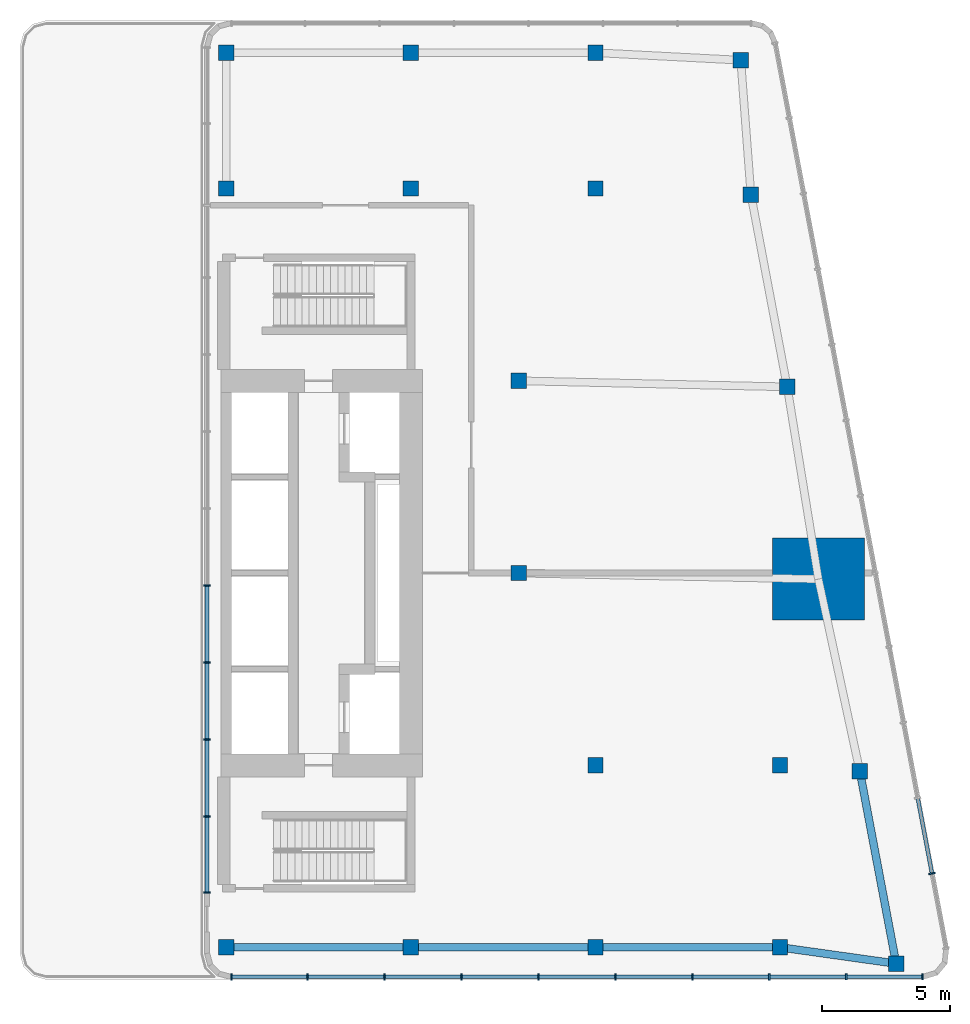
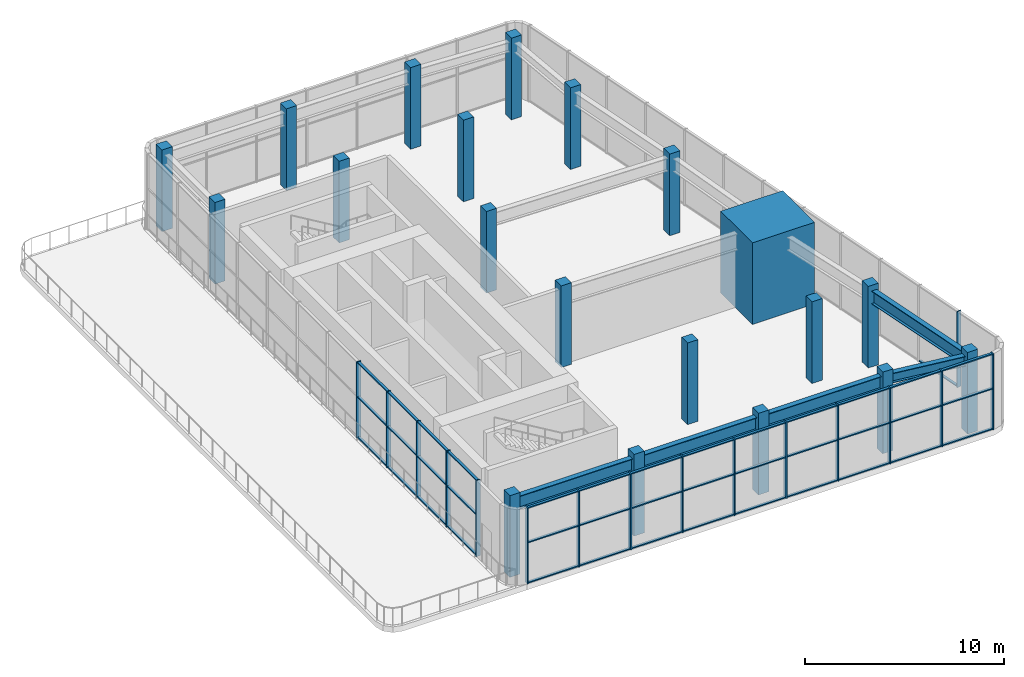
# One storey, part 1 of 8: 56 members, 20 columns, 5 beams, 3 elements without a shape of their own.
"""IFC4 building model written with IfcOpenShell, lengths in metres."""

from ifc_helpers import new_model, si_unit, direction, frame, origin, origin_2d, place, context, subcontext, project, spatial, rectangle, i_section, extrude, material, material_profile, profile_set, type_object, element, aggregate, save


model = new_model("IFC4")

# Units and contexts
model_context = context("Model", 3, precision=1e-05, world=origin(), true_north=direction((0.0, 1.0)))
body_context = subcontext(model_context, "Body", "Model", "MODEL_VIEW")
ifc_project = project(units=[si_unit("LENGTHUNIT", "METRE"), si_unit("AREAUNIT", "SQUARE_METRE"), si_unit("VOLUMEUNIT", "CUBIC_METRE"), si_unit("PLANEANGLEUNIT", "RADIAN"), si_unit("MASSUNIT", "GRAM", prefix="KILO")], contexts=[model_context])

# Site, building, storey
site_placement = place(None, origin())
site = spatial("IfcSite", under=ifc_project, at=site_placement, CompositionType="ELEMENT")
building_placement = place(site_placement, origin())
building = spatial("IfcBuilding", under=site, at=building_placement, Name="Sheger Commons Tower", CompositionType="ELEMENT")
storey_placement = place(building_placement, frame((0.0, 0.0, 296.60009765625)))
storey = spatial("IfcBuildingStorey", under=building, at=storey_placement, Name="L76", CompositionType="ELEMENT", Elevation=296.60009765625)

# Columns
ifc_material_1 = material(Name="Concrete C50/60", Category="concrete")
ifc_material_profile_1 = material_profile(ifc_material_1, rectangle(XDim=3.60009765625, YDim=3.199951171875, at=origin_2d()), Name="RC 3600x3200")
ifc_profile_set_1 = profile_set([ifc_material_profile_1], Name="Concrete C50/60")
column_type_1 = type_object("IfcColumnType", Name="COLUMN PIER RC 3600x3200", PredefinedType="COLUMN", material=ifc_profile_set_1)
column_placement = place(storey_placement, frame((44.697021484375, 22.262939453125, 0.0), z_axis=(0.0, 0.0, 1.0), x_axis=(1.0, 0.0, 0.0)))
element("IfcColumn", 1, at=column_placement, inside=storey, type_object=column_type_1, Name="Pier 7/D+E/D L76", PredefinedType="COLUMN", context=body_context, shape_type="SweptSolid", body=[
    extrude(rectangle(XDim=3.60009765625, YDim=3.199951171875, at=origin_2d()), origin(), (0.0, 0.0, 1.0), 5.0),
])
ifc_material_2 = material(Name="Concrete C50/60", Category="concrete")
ifc_material_profile_2 = material_profile(ifc_material_2, rectangle(XDim=0.60009765625, YDim=0.60009765625, at=origin_2d()), Name="RC 600x600")
ifc_profile_set_2 = profile_set([ifc_material_profile_2], Name="Concrete C50/60")
column_type_2 = type_object("IfcColumnType", Name="COLUMN RC 600x600", PredefinedType="COLUMN", material=ifc_profile_set_2)
for number, where, z_axis, x_axis, name in (
    (2, (21.60009765625, 7.89990234375, 0.0), (0.0, 0.0, 1.0), (1.0, 0.0, 0.0), "Column 4/B L76"),
    (3, (28.800048828125, 7.89990234375, 0.0), (0.0, 0.0, 1.0), (1.0, 0.0, 0.0), "Column 5/B L76"),
    (4, (36.0, 7.89990234375, 0.0), (0.0, 0.0, 1.0), (1.0, 0.0, 0.0), "Column 6/B L76"),
    (5, (43.199951171875, 7.89990234375, 0.0), (0.0, 0.0, 1.0), (1.0, 0.0, 0.0), "Column 7/B L76"),
    (6, (47.72998046875, 7.262939453125, 0.0), (0.0, 0.0, 1.0), (1.0, 0.0, 0.0), "Column E/B L76"),
    (7, (36.0, 15.0, 0.0), (0.0, 0.0, 1.0), (1.0, 0.0, 0.0), "Column 6/C L76"),
    (8, (43.199951171875, 15.0, 0.0), (0.0, 0.0, 1.0), (1.0, 0.0, 0.0), "Column 7/C L76"),
    (9, (46.31396484375, 14.762939453125, 0.0), (0.0, 0.0, 1.0), (1.0, 0.0, 0.0), "Column E/C L76"),
    (10, (33.0, 22.5, 0.0), (0.0, 0.0, 1.0), (1.0, 0.0, 0.0), "Column 6-3000/D L76"),
    (11, (33.0, 30.0, 0.0), (0.0, 0.0, 1.0), (1.0, 0.0, 0.0), "Column 6-3000/E L76"),
    (12, (43.47998046875, 29.762939453125, 0.0), (0.0, 0.0, 1.0), (1.0, 0.0, 0.0), "Column E/E L76"),
    (13, (21.60009765625, 37.5, 0.0), (0.0, 0.0, 1.0), (1.0, 0.0, 0.0), "Column 4/F L76"),
    (14, (28.800048828125, 37.5, 0.0), (0.0, 0.0, 1.0), (1.0, 0.0, 0.0), "Column 5/F L76"),
    (15, (36.0, 37.5, 0.0), (0.0, 0.0, 1.0), (1.0, 0.0, 0.0), "Column 6/F L76"),
    (16, (42.06396484375, 37.262939453125, 0.0), (0.0, 0.0, 1.0), (1.0, 0.0, 0.0), "Column E/F L76"),
    (17, (21.60009765625, 42.800048828125, 0.0), (0.0, 0.0, 1.0), (1.0, 0.0, 0.0), "Column 4/G-1.8 L76"),
    (18, (28.800048828125, 42.800048828125, 0.0), (0.0, 0.0, 1.0), (1.0, 0.0, 0.0), "Column 5/G-1.8 L76"),
    (19, (36.0, 42.800048828125, 0.0), (0.0, 0.0, 1.0), (1.0, 0.0, 0.0), "Column 6/G-1.8 L76"),
    (20, (41.6669921875, 42.506103515625, 0.0), (0.0, 0.0, 1.0), (1.0, 0.0, 0.0), "Column E/G-1.8 L76"),
):
    element("IfcColumn", number, at=place(storey_placement, frame(where, z_axis=z_axis, x_axis=x_axis)), inside=storey, type_object=column_type_2, Name=name, PredefinedType="COLUMN", context=body_context, shape_type="SweptSolid", body=[
        extrude(rectangle(XDim=0.60009765625, YDim=0.60009765625, at=origin_2d()), origin(), (0.0, 0.0, 1.0), 5.0),
    ])

# Curtain wall, members
ifc_material_3 = material(Name="Black aluminium curtain wall, dark tinted glazing", Category="aluminium")
curtain_wall_type = type_object("IfcCurtainWallType", Name="CURTAIN WALL CW6 LANTERN", PredefinedType="USERDEFINED", material=ifc_material_3)
curtain_wall_1_placement = place(storey_placement, origin())
curtain_wall_1 = element("IfcCurtainWall", 21, at=curtain_wall_1_placement, inside=storey, type_object=curtain_wall_type, Name="Curtain Wall Cw6 Lantern S1 L76", ObjectType="UNITISED CURTAIN WALL", PredefinedType="USERDEFINED")
ifc_material_4 = material(Name="Black anodised aluminium", Category="aluminium")
ifc_material_profile_3 = material_profile(ifc_material_4, rectangle(XDim=0.25, YDim=0.06494140625, at=origin_2d()), Name="AL 65x250")
ifc_profile_set_3 = profile_set([ifc_material_profile_3], Name="Black anodised aluminium")
member_type_1 = type_object("IfcMemberType", Name="MULLION AL 65x250", PredefinedType="MULLION", material=ifc_profile_set_3)
member_1_placement = place(storey_placement, frame((21.79541015625, 6.75, 0.0), z_axis=(0.0, 0.0, 1.0), x_axis=(0.0, 1.0, 0.0)))
member_1 = element("IfcMember", 22, at=member_1_placement, type_object=member_type_1, Name="CW6 mullion 1", PredefinedType="MULLION", context=body_context, shape_type="SweptSolid", body=[
    extrude(rectangle(XDim=0.25, YDim=0.06494140625, at=origin_2d()), origin(), (0.0, 0.0, 1.0), 4.64990234375),
])
member_2_placement = place(storey_placement, frame((24.765625, 6.75, 0.0), z_axis=(0.0, 0.0, 1.0), x_axis=(0.0, 1.0, 0.0)))
member_2 = element("IfcMember", 23, at=member_2_placement, type_object=member_type_1, Name="CW6 mullion 2", PredefinedType="MULLION", context=body_context, shape_type="SweptSolid", body=[
    extrude(rectangle(XDim=0.25, YDim=0.06494140625, at=origin_2d()), origin(), (0.0, 0.0, 1.0), 4.64990234375),
])
member_3_placement = place(storey_placement, frame((27.768310546875, 6.75, 0.0), z_axis=(0.0, 0.0, 1.0), x_axis=(0.0, 1.0, 0.0)))
member_3 = element("IfcMember", 24, at=member_3_placement, type_object=member_type_1, Name="CW6 mullion 3", PredefinedType="MULLION", context=body_context, shape_type="SweptSolid", body=[
    extrude(rectangle(XDim=0.25, YDim=0.06494140625, at=origin_2d()), origin(), (0.0, 0.0, 1.0), 4.64990234375),
])
member_4_placement = place(storey_placement, frame((30.77099609375, 6.75, 0.0), z_axis=(0.0, 0.0, 1.0), x_axis=(0.0, 1.0, 0.0)))
member_4 = element("IfcMember", 25, at=member_4_placement, type_object=member_type_1, Name="CW6 mullion 4", PredefinedType="MULLION", context=body_context, shape_type="SweptSolid", body=[
    extrude(rectangle(XDim=0.25, YDim=0.06494140625, at=origin_2d()), origin(), (0.0, 0.0, 1.0), 4.64990234375),
])
member_5_placement = place(storey_placement, frame((33.773681640625, 6.75, 0.0), z_axis=(0.0, 0.0, 1.0), x_axis=(0.0, 1.0, 0.0)))
member_5 = element("IfcMember", 26, at=member_5_placement, type_object=member_type_1, Name="CW6 mullion 5", PredefinedType="MULLION", context=body_context, shape_type="SweptSolid", body=[
    extrude(rectangle(XDim=0.25, YDim=0.06494140625, at=origin_2d()), origin(), (0.0, 0.0, 1.0), 4.64990234375),
])
member_6_placement = place(storey_placement, frame((36.7763671875, 6.75, 0.0), z_axis=(0.0, 0.0, 1.0), x_axis=(0.0, 1.0, 0.0)))
member_6 = element("IfcMember", 27, at=member_6_placement, type_object=member_type_1, Name="CW6 mullion 6", PredefinedType="MULLION", context=body_context, shape_type="SweptSolid", body=[
    extrude(rectangle(XDim=0.25, YDim=0.06494140625, at=origin_2d()), origin(), (0.0, 0.0, 1.0), 4.64990234375),
])
member_7_placement = place(storey_placement, frame((39.779052734375, 6.75, 0.0), z_axis=(0.0, 0.0, 1.0), x_axis=(0.0, 1.0, 0.0)))
member_7 = element("IfcMember", 28, at=member_7_placement, type_object=member_type_1, Name="CW6 mullion 7", PredefinedType="MULLION", context=body_context, shape_type="SweptSolid", body=[
    extrude(rectangle(XDim=0.25, YDim=0.06494140625, at=origin_2d()), origin(), (0.0, 0.0, 1.0), 4.64990234375),
])
member_8_placement = place(storey_placement, frame((42.78173828125, 6.75, 0.0), z_axis=(0.0, 0.0, 1.0), x_axis=(0.0, 1.0, 0.0)))
member_8 = element("IfcMember", 29, at=member_8_placement, type_object=member_type_1, Name="CW6 mullion 8", PredefinedType="MULLION", context=body_context, shape_type="SweptSolid", body=[
    extrude(rectangle(XDim=0.25, YDim=0.06494140625, at=origin_2d()), origin(), (0.0, 0.0, 1.0), 4.64990234375),
])
member_9_placement = place(storey_placement, frame((45.784423828125, 6.75, 0.0), z_axis=(0.0, 0.0, 1.0), x_axis=(0.0, 1.0, 0.0)))
member_9 = element("IfcMember", 30, at=member_9_placement, type_object=member_type_1, Name="CW6 mullion 9", PredefinedType="MULLION", context=body_context, shape_type="SweptSolid", body=[
    extrude(rectangle(XDim=0.25, YDim=0.06494140625, at=origin_2d()), origin(), (0.0, 0.0, 1.0), 4.64990234375),
])
member_10_placement = place(storey_placement, frame((48.75439453125, 6.75, 0.0), z_axis=(0.0, 0.0, 1.0), x_axis=(0.0, 1.0, 0.0)))
member_10 = element("IfcMember", 31, at=member_10_placement, type_object=member_type_1, Name="CW6 mullion 10", PredefinedType="MULLION", context=body_context, shape_type="SweptSolid", body=[
    extrude(rectangle(XDim=0.25, YDim=0.06494140625, at=origin_2d()), origin(), (0.0, 0.0, 1.0), 4.64990234375),
])

# Curtain wall, member
curtain_wall_2_placement = place(storey_placement, origin())
curtain_wall_2 = element("IfcCurtainWall", 32, at=curtain_wall_2_placement, inside=storey, type_object=curtain_wall_type, Name="Curtain Wall Cw6 Lantern E1 L76", ObjectType="UNITISED CURTAIN WALL", PredefinedType="USERDEFINED")
member_11_placement = place(storey_placement, frame((49.127197265625, 10.77978515625, 0.0), z_axis=(0.0, 0.0, 1.0), x_axis=(-0.982622863229, -0.185613331041, 0.0)))
member_11 = element("IfcMember", 33, at=member_11_placement, type_object=member_type_1, Name="CW6 mullion 2", PredefinedType="MULLION", context=body_context, shape_type="SweptSolid", body=[
    extrude(rectangle(XDim=0.25, YDim=0.06494140625, at=origin_2d()), origin(), (0.0, 0.0, 1.0), 4.64990234375),
])

# Curtain wall, members
curtain_wall_3_placement = place(storey_placement, origin())
curtain_wall_3 = element("IfcCurtainWall", 34, at=curtain_wall_3_placement, inside=storey, type_object=curtain_wall_type, Name="Curtain Wall Cw6 Lantern W1 L76", ObjectType="UNITISED CURTAIN WALL", PredefinedType="USERDEFINED")
member_12_placement = place(storey_placement, frame((20.85009765625, 22.012939453125, 0.0), z_axis=(0.0, 0.0, 1.0), x_axis=(1.0, 0.0, 0.0)))
member_12 = element("IfcMember", 35, at=member_12_placement, type_object=member_type_1, Name="CW6 mullion 8", PredefinedType="MULLION", context=body_context, shape_type="SweptSolid", body=[
    extrude(rectangle(XDim=0.25, YDim=0.06494140625, at=origin_2d()), origin(), (0.0, 0.0, 1.0), 4.64990234375),
])
member_13_placement = place(storey_placement, frame((20.85009765625, 19.010009765625, 0.0), z_axis=(0.0, 0.0, 1.0), x_axis=(1.0, 0.0, 0.0)))
member_13 = element("IfcMember", 36, at=member_13_placement, type_object=member_type_1, Name="CW6 mullion 9", PredefinedType="MULLION", context=body_context, shape_type="SweptSolid", body=[
    extrude(rectangle(XDim=0.25, YDim=0.06494140625, at=origin_2d()), origin(), (0.0, 0.0, 1.0), 4.64990234375),
])
member_14_placement = place(storey_placement, frame((20.85009765625, 16.007080078125, 0.0), z_axis=(0.0, 0.0, 1.0), x_axis=(1.0, 0.0, 0.0)))
member_14 = element("IfcMember", 37, at=member_14_placement, type_object=member_type_1, Name="CW6 mullion 10", PredefinedType="MULLION", context=body_context, shape_type="SweptSolid", body=[
    extrude(rectangle(XDim=0.25, YDim=0.06494140625, at=origin_2d()), origin(), (0.0, 0.0, 1.0), 4.64990234375),
])
member_15_placement = place(storey_placement, frame((20.85009765625, 13.0029296875, 0.0), z_axis=(0.0, 0.0, 1.0), x_axis=(1.0, 0.0, 0.0)))
member_15 = element("IfcMember", 38, at=member_15_placement, type_object=member_type_1, Name="CW6 mullion 11", PredefinedType="MULLION", context=body_context, shape_type="SweptSolid", body=[
    extrude(rectangle(XDim=0.25, YDim=0.06494140625, at=origin_2d()), origin(), (0.0, 0.0, 1.0), 4.64990234375),
])
member_16_placement = place(storey_placement, frame((20.85009765625, 10.032470703125, 0.0), z_axis=(0.0, 0.0, 1.0), x_axis=(1.0, 0.0, 0.0)))
member_16 = element("IfcMember", 39, at=member_16_placement, type_object=member_type_1, Name="CW6 mullion 12", PredefinedType="MULLION", context=body_context, shape_type="SweptSolid", body=[
    extrude(rectangle(XDim=0.25, YDim=0.06494140625, at=origin_2d()), origin(), (0.0, 0.0, 1.0), 4.64990234375),
])

# Beams
ifc_material_5 = material(Name="Steel S460", Category="steel")
ifc_material_profile_4 = material_profile(ifc_material_5, i_section(OverallWidth=0.300048828125, OverallDepth=0.60009765625, WebThickness=0.015380859375, FlangeThickness=0.030029296875, at=origin_2d()), Name="HE 600 B")
ifc_profile_set_4 = profile_set([ifc_material_profile_4], Name="Steel S460")
beam_type_1 = type_object("IfcBeamType", Name="STEEL BEAM HE 600 B", PredefinedType="BEAM", material=ifc_profile_set_4)
beam_1_placement = place(storey_placement, frame((43.199951171875, 7.89990234375, 4.349853515625), z_axis=(0.990258763555, -0.139239294752, 0.0), x_axis=(0.139239294752, 0.990258763555, 0.0)))
element("IfcBeam", 40, at=beam_1_placement, inside=storey, type_object=beam_type_1, Name="Beam 7/B-E/B under L77", PredefinedType="BEAM", context=body_context, shape_type="SweptSolid", body=[
    extrude(i_section(OverallWidth=0.300048828125, OverallDepth=0.60009765625, WebThickness=0.015380859375, FlangeThickness=0.030029296875, at=origin_2d()), origin(), (0.0, 0.0, 1.0), 4.57470703125),
])
ifc_material_6 = material(Name="Steel S460", Category="steel")
ifc_material_profile_5 = material_profile(ifc_material_6, i_section(OverallWidth=0.300048828125, OverallDepth=0.800048828125, WebThickness=0.017578125, FlangeThickness=0.032958984375, at=origin_2d()), Name="HE 800 B")
ifc_profile_set_5 = profile_set([ifc_material_profile_5], Name="Steel S460")
beam_type_2 = type_object("IfcBeamType", Name="STEEL BEAM HE 800 B", PredefinedType="BEAM", material=ifc_profile_set_5)
for number, where, z_axis, x_axis, name in (
    (41, (21.60009765625, 7.89990234375, 4.25), (1.0, 0.0, 0.0), (0.0, 1.0, 0.0), "Beam 4/B-5/B under L77"),
    (42, (28.800048828125, 7.89990234375, 4.25), (1.0, 0.0, 0.0), (0.0, 1.0, 0.0), "Beam 5/B-6/B under L77"),
    (43, (36.0, 7.89990234375, 4.25), (1.0, 0.0, 0.0), (0.0, 1.0, 0.0), "Beam 6/B-7/B under L77"),
):
    element("IfcBeam", number, at=place(storey_placement, frame(where, z_axis=z_axis, x_axis=x_axis)), inside=storey, type_object=beam_type_2, Name=name, PredefinedType="BEAM", context=body_context, shape_type="SweptSolid", body=[
        extrude(i_section(OverallWidth=0.300048828125, OverallDepth=0.800048828125, WebThickness=0.017578125, FlangeThickness=0.032958984375, at=origin_2d()), origin(), (0.0, 0.0, 1.0), 7.199951171875),
    ])
beam_2_placement = place(storey_placement, frame((47.72998046875, 7.262939453125, 4.25), z_axis=(-0.18552441405, 0.982639655108, 0.0), x_axis=(-0.982639655108, -0.18552441405, 0.0)))
element("IfcBeam", 44, at=beam_2_placement, inside=storey, type_object=beam_type_2, Name="Beam E/B-E/C under L77", PredefinedType="BEAM", context=body_context, shape_type="SweptSolid", body=[
    extrude(i_section(OverallWidth=0.300048828125, OverallDepth=0.800048828125, WebThickness=0.017578125, FlangeThickness=0.032958984375, at=origin_2d()), origin(), (0.0, 0.0, 1.0), 7.632568359375),
])

# Member
ifc_material_7 = material(Name="Black anodised aluminium", Category="aluminium")
ifc_material_profile_6 = material_profile(ifc_material_7, rectangle(XDim=0.14990234375, YDim=0.06494140625, at=origin_2d()), Name="AL 65x150")
ifc_profile_set_6 = profile_set([ifc_material_profile_6], Name="Black anodised aluminium")
member_type_2 = type_object("IfcMemberType", Name="TRANSOM AL 65x150", PredefinedType="USERDEFINED", material=ifc_profile_set_6)
member_17_placement = place(storey_placement, frame((21.827880859375, 6.75, 0.032470703125), z_axis=(1.0, 0.0, 0.0), x_axis=(0.0, 1.0, 0.0)))
member_17 = element("IfcMember", 45, at=member_17_placement, type_object=member_type_2, Name="CW6 transom 1.1", ObjectType="TRANSOM", PredefinedType="USERDEFINED", context=body_context, shape_type="SweptSolid", body=[
    extrude(rectangle(XDim=0.14990234375, YDim=0.06494140625, at=origin_2d()), origin(), (0.0, 0.0, 1.0), 2.9052734375),
])

member_18_placement = place(storey_placement, frame((21.827880859375, 6.75, 2.5), z_axis=(1.0, 0.0, 0.0), x_axis=(0.0, 1.0, 0.0)))
member_18 = element("IfcMember", 46, at=member_18_placement, type_object=member_type_2, Name="CW6 transom 1.2", ObjectType="TRANSOM", PredefinedType="USERDEFINED", context=body_context, shape_type="SweptSolid", body=[
    extrude(rectangle(XDim=0.14990234375, YDim=0.06494140625, at=origin_2d()), origin(), (0.0, 0.0, 1.0), 2.9052734375),
])

member_19_placement = place(storey_placement, frame((21.827880859375, 6.75, 4.617431640625), z_axis=(1.0, 0.0, 0.0), x_axis=(0.0, 1.0, 0.0)))
member_19 = element("IfcMember", 47, at=member_19_placement, type_object=member_type_2, Name="CW6 transom 1.3", ObjectType="TRANSOM", PredefinedType="USERDEFINED", context=body_context, shape_type="SweptSolid", body=[
    extrude(rectangle(XDim=0.14990234375, YDim=0.06494140625, at=origin_2d()), origin(), (0.0, 0.0, 1.0), 2.9052734375),
])

member_20_placement = place(storey_placement, frame((24.798095703125, 6.75, 0.032470703125), z_axis=(1.0, 0.0, 0.0), x_axis=(0.0, 1.0, 0.0)))
member_20 = element("IfcMember", 48, at=member_20_placement, type_object=member_type_2, Name="CW6 transom 2.1", ObjectType="TRANSOM", PredefinedType="USERDEFINED", context=body_context, shape_type="SweptSolid", body=[
    extrude(rectangle(XDim=0.14990234375, YDim=0.06494140625, at=origin_2d()), origin(), (0.0, 0.0, 1.0), 2.937744140625),
])

member_21_placement = place(storey_placement, frame((24.798095703125, 6.75, 2.5), z_axis=(1.0, 0.0, 0.0), x_axis=(0.0, 1.0, 0.0)))
member_21 = element("IfcMember", 49, at=member_21_placement, type_object=member_type_2, Name="CW6 transom 2.2", ObjectType="TRANSOM", PredefinedType="USERDEFINED", context=body_context, shape_type="SweptSolid", body=[
    extrude(rectangle(XDim=0.14990234375, YDim=0.06494140625, at=origin_2d()), origin(), (0.0, 0.0, 1.0), 2.937744140625),
])

member_22_placement = place(storey_placement, frame((24.798095703125, 6.75, 4.617431640625), z_axis=(1.0, 0.0, 0.0), x_axis=(0.0, 1.0, 0.0)))
member_22 = element("IfcMember", 50, at=member_22_placement, type_object=member_type_2, Name="CW6 transom 2.3", ObjectType="TRANSOM", PredefinedType="USERDEFINED", context=body_context, shape_type="SweptSolid", body=[
    extrude(rectangle(XDim=0.14990234375, YDim=0.06494140625, at=origin_2d()), origin(), (0.0, 0.0, 1.0), 2.937744140625),
])

member_23_placement = place(storey_placement, frame((27.80078125, 6.75, 0.032470703125), z_axis=(1.0, 0.0, 0.0), x_axis=(0.0, 1.0, 0.0)))
member_23 = element("IfcMember", 51, at=member_23_placement, type_object=member_type_2, Name="CW6 transom 3.1", ObjectType="TRANSOM", PredefinedType="USERDEFINED", context=body_context, shape_type="SweptSolid", body=[
    extrude(rectangle(XDim=0.14990234375, YDim=0.06494140625, at=origin_2d()), origin(), (0.0, 0.0, 1.0), 2.937744140625),
])

member_24_placement = place(storey_placement, frame((27.80078125, 6.75, 2.5), z_axis=(1.0, 0.0, 0.0), x_axis=(0.0, 1.0, 0.0)))
member_24 = element("IfcMember", 52, at=member_24_placement, type_object=member_type_2, Name="CW6 transom 3.2", ObjectType="TRANSOM", PredefinedType="USERDEFINED", context=body_context, shape_type="SweptSolid", body=[
    extrude(rectangle(XDim=0.14990234375, YDim=0.06494140625, at=origin_2d()), origin(), (0.0, 0.0, 1.0), 2.937744140625),
])

member_25_placement = place(storey_placement, frame((27.80078125, 6.75, 4.617431640625), z_axis=(1.0, 0.0, 0.0), x_axis=(0.0, 1.0, 0.0)))
member_25 = element("IfcMember", 53, at=member_25_placement, type_object=member_type_2, Name="CW6 transom 3.3", ObjectType="TRANSOM", PredefinedType="USERDEFINED", context=body_context, shape_type="SweptSolid", body=[
    extrude(rectangle(XDim=0.14990234375, YDim=0.06494140625, at=origin_2d()), origin(), (0.0, 0.0, 1.0), 2.937744140625),
])

member_26_placement = place(storey_placement, frame((30.803466796875, 6.75, 0.032470703125), z_axis=(1.0, 0.0, 0.0), x_axis=(0.0, 1.0, 0.0)))
member_26 = element("IfcMember", 54, at=member_26_placement, type_object=member_type_2, Name="CW6 transom 4.1", ObjectType="TRANSOM", PredefinedType="USERDEFINED", context=body_context, shape_type="SweptSolid", body=[
    extrude(rectangle(XDim=0.14990234375, YDim=0.06494140625, at=origin_2d()), origin(), (0.0, 0.0, 1.0), 2.937744140625),
])

member_27_placement = place(storey_placement, frame((30.803466796875, 6.75, 2.5), z_axis=(1.0, 0.0, 0.0), x_axis=(0.0, 1.0, 0.0)))
member_27 = element("IfcMember", 55, at=member_27_placement, type_object=member_type_2, Name="CW6 transom 4.2", ObjectType="TRANSOM", PredefinedType="USERDEFINED", context=body_context, shape_type="SweptSolid", body=[
    extrude(rectangle(XDim=0.14990234375, YDim=0.06494140625, at=origin_2d()), origin(), (0.0, 0.0, 1.0), 2.937744140625),
])

member_28_placement = place(storey_placement, frame((30.803466796875, 6.75, 4.617431640625), z_axis=(1.0, 0.0, 0.0), x_axis=(0.0, 1.0, 0.0)))
member_28 = element("IfcMember", 56, at=member_28_placement, type_object=member_type_2, Name="CW6 transom 4.3", ObjectType="TRANSOM", PredefinedType="USERDEFINED", context=body_context, shape_type="SweptSolid", body=[
    extrude(rectangle(XDim=0.14990234375, YDim=0.06494140625, at=origin_2d()), origin(), (0.0, 0.0, 1.0), 2.937744140625),
])

member_29_placement = place(storey_placement, frame((33.80615234375, 6.75, 0.032470703125), z_axis=(1.0, 0.0, 0.0), x_axis=(0.0, 1.0, 0.0)))
member_29 = element("IfcMember", 57, at=member_29_placement, type_object=member_type_2, Name="CW6 transom 5.1", ObjectType="TRANSOM", PredefinedType="USERDEFINED", context=body_context, shape_type="SweptSolid", body=[
    extrude(rectangle(XDim=0.14990234375, YDim=0.06494140625, at=origin_2d()), origin(), (0.0, 0.0, 1.0), 2.937744140625),
])

member_30_placement = place(storey_placement, frame((33.80615234375, 6.75, 2.5), z_axis=(1.0, 0.0, 0.0), x_axis=(0.0, 1.0, 0.0)))
member_30 = element("IfcMember", 58, at=member_30_placement, type_object=member_type_2, Name="CW6 transom 5.2", ObjectType="TRANSOM", PredefinedType="USERDEFINED", context=body_context, shape_type="SweptSolid", body=[
    extrude(rectangle(XDim=0.14990234375, YDim=0.06494140625, at=origin_2d()), origin(), (0.0, 0.0, 1.0), 2.937744140625),
])

member_31_placement = place(storey_placement, frame((33.80615234375, 6.75, 4.617431640625), z_axis=(1.0, 0.0, 0.0), x_axis=(0.0, 1.0, 0.0)))
member_31 = element("IfcMember", 59, at=member_31_placement, type_object=member_type_2, Name="CW6 transom 5.3", ObjectType="TRANSOM", PredefinedType="USERDEFINED", context=body_context, shape_type="SweptSolid", body=[
    extrude(rectangle(XDim=0.14990234375, YDim=0.06494140625, at=origin_2d()), origin(), (0.0, 0.0, 1.0), 2.937744140625),
])

member_32_placement = place(storey_placement, frame((36.808837890625, 6.75, 0.032470703125), z_axis=(1.0, 0.0, 0.0), x_axis=(0.0, 1.0, 0.0)))
member_32 = element("IfcMember", 60, at=member_32_placement, type_object=member_type_2, Name="CW6 transom 6.1", ObjectType="TRANSOM", PredefinedType="USERDEFINED", context=body_context, shape_type="SweptSolid", body=[
    extrude(rectangle(XDim=0.14990234375, YDim=0.06494140625, at=origin_2d()), origin(), (0.0, 0.0, 1.0), 2.937744140625),
])

member_33_placement = place(storey_placement, frame((36.808837890625, 6.75, 2.5), z_axis=(1.0, 0.0, 0.0), x_axis=(0.0, 1.0, 0.0)))
member_33 = element("IfcMember", 61, at=member_33_placement, type_object=member_type_2, Name="CW6 transom 6.2", ObjectType="TRANSOM", PredefinedType="USERDEFINED", context=body_context, shape_type="SweptSolid", body=[
    extrude(rectangle(XDim=0.14990234375, YDim=0.06494140625, at=origin_2d()), origin(), (0.0, 0.0, 1.0), 2.937744140625),
])

member_34_placement = place(storey_placement, frame((36.808837890625, 6.75, 4.617431640625), z_axis=(1.0, 0.0, 0.0), x_axis=(0.0, 1.0, 0.0)))
member_34 = element("IfcMember", 62, at=member_34_placement, type_object=member_type_2, Name="CW6 transom 6.3", ObjectType="TRANSOM", PredefinedType="USERDEFINED", context=body_context, shape_type="SweptSolid", body=[
    extrude(rectangle(XDim=0.14990234375, YDim=0.06494140625, at=origin_2d()), origin(), (0.0, 0.0, 1.0), 2.937744140625),
])

member_35_placement = place(storey_placement, frame((39.8115234375, 6.75, 0.032470703125), z_axis=(1.0, 0.0, 0.0), x_axis=(0.0, 1.0, 0.0)))
member_35 = element("IfcMember", 63, at=member_35_placement, type_object=member_type_2, Name="CW6 transom 7.1", ObjectType="TRANSOM", PredefinedType="USERDEFINED", context=body_context, shape_type="SweptSolid", body=[
    extrude(rectangle(XDim=0.14990234375, YDim=0.06494140625, at=origin_2d()), origin(), (0.0, 0.0, 1.0), 2.937744140625),
])

member_36_placement = place(storey_placement, frame((39.8115234375, 6.75, 2.5), z_axis=(1.0, 0.0, 0.0), x_axis=(0.0, 1.0, 0.0)))
member_36 = element("IfcMember", 64, at=member_36_placement, type_object=member_type_2, Name="CW6 transom 7.2", ObjectType="TRANSOM", PredefinedType="USERDEFINED", context=body_context, shape_type="SweptSolid", body=[
    extrude(rectangle(XDim=0.14990234375, YDim=0.06494140625, at=origin_2d()), origin(), (0.0, 0.0, 1.0), 2.937744140625),
])

member_37_placement = place(storey_placement, frame((39.8115234375, 6.75, 4.617431640625), z_axis=(1.0, 0.0, 0.0), x_axis=(0.0, 1.0, 0.0)))
member_37 = element("IfcMember", 65, at=member_37_placement, type_object=member_type_2, Name="CW6 transom 7.3", ObjectType="TRANSOM", PredefinedType="USERDEFINED", context=body_context, shape_type="SweptSolid", body=[
    extrude(rectangle(XDim=0.14990234375, YDim=0.06494140625, at=origin_2d()), origin(), (0.0, 0.0, 1.0), 2.937744140625),
])

member_38_placement = place(storey_placement, frame((42.814208984375, 6.75, 0.032470703125), z_axis=(1.0, 0.0, 0.0), x_axis=(0.0, 1.0, 0.0)))
member_38 = element("IfcMember", 66, at=member_38_placement, type_object=member_type_2, Name="CW6 transom 8.1", ObjectType="TRANSOM", PredefinedType="USERDEFINED", context=body_context, shape_type="SweptSolid", body=[
    extrude(rectangle(XDim=0.14990234375, YDim=0.06494140625, at=origin_2d()), origin(), (0.0, 0.0, 1.0), 2.937744140625),
])

member_39_placement = place(storey_placement, frame((42.814208984375, 6.75, 2.5), z_axis=(1.0, 0.0, 0.0), x_axis=(0.0, 1.0, 0.0)))
member_39 = element("IfcMember", 67, at=member_39_placement, type_object=member_type_2, Name="CW6 transom 8.2", ObjectType="TRANSOM", PredefinedType="USERDEFINED", context=body_context, shape_type="SweptSolid", body=[
    extrude(rectangle(XDim=0.14990234375, YDim=0.06494140625, at=origin_2d()), origin(), (0.0, 0.0, 1.0), 2.937744140625),
])

member_40_placement = place(storey_placement, frame((42.814208984375, 6.75, 4.617431640625), z_axis=(1.0, 0.0, 0.0), x_axis=(0.0, 1.0, 0.0)))
member_40 = element("IfcMember", 68, at=member_40_placement, type_object=member_type_2, Name="CW6 transom 8.3", ObjectType="TRANSOM", PredefinedType="USERDEFINED", context=body_context, shape_type="SweptSolid", body=[
    extrude(rectangle(XDim=0.14990234375, YDim=0.06494140625, at=origin_2d()), origin(), (0.0, 0.0, 1.0), 2.937744140625),
])

member_41_placement = place(storey_placement, frame((45.81689453125, 6.75, 0.032470703125), z_axis=(1.0, 0.0, 0.0), x_axis=(0.0, 1.0, 0.0)))
member_41 = element("IfcMember", 69, at=member_41_placement, type_object=member_type_2, Name="CW6 transom 9.1", ObjectType="TRANSOM", PredefinedType="USERDEFINED", context=body_context, shape_type="SweptSolid", body=[
    extrude(rectangle(XDim=0.14990234375, YDim=0.06494140625, at=origin_2d()), origin(), (0.0, 0.0, 1.0), 2.905029296875),
])

member_42_placement = place(storey_placement, frame((45.81689453125, 6.75, 2.5), z_axis=(1.0, 0.0, 0.0), x_axis=(0.0, 1.0, 0.0)))
member_42 = element("IfcMember", 70, at=member_42_placement, type_object=member_type_2, Name="CW6 transom 9.2", ObjectType="TRANSOM", PredefinedType="USERDEFINED", context=body_context, shape_type="SweptSolid", body=[
    extrude(rectangle(XDim=0.14990234375, YDim=0.06494140625, at=origin_2d()), origin(), (0.0, 0.0, 1.0), 2.905029296875),
])

member_43_placement = place(storey_placement, frame((45.81689453125, 6.75, 4.617431640625), z_axis=(1.0, 0.0, 0.0), x_axis=(0.0, 1.0, 0.0)))
member_43 = element("IfcMember", 71, at=member_43_placement, type_object=member_type_2, Name="CW6 transom 9.3", ObjectType="TRANSOM", PredefinedType="USERDEFINED", context=body_context, shape_type="SweptSolid", body=[
    extrude(rectangle(XDim=0.14990234375, YDim=0.06494140625, at=origin_2d()), origin(), (0.0, 0.0, 1.0), 2.905029296875),
])

aggregate(curtain_wall_1, [member_1, member_2, member_3, member_4, member_5, member_6, member_7, member_8, member_9, member_10, member_17, member_18, member_19, member_20, member_21, member_22, member_23, member_24, member_25, member_26, member_27, member_28, member_29, member_30, member_31, member_32, member_33, member_34, member_35, member_36, member_37, member_38, member_39, member_40, member_41, member_42, member_43])

member_44_placement = place(storey_placement, frame((49.12109375, 10.811767578125, 0.032470703125), z_axis=(-0.18557911014, 0.982629326796, 0.0), x_axis=(-0.982629326796, -0.18557911014, 0.0)))
member_44 = element("IfcMember", 72, at=member_44_placement, type_object=member_type_2, Name="CW6 transom 2.1", ObjectType="TRANSOM", PredefinedType="USERDEFINED", context=body_context, shape_type="SweptSolid", body=[
    extrude(rectangle(XDim=0.14990234375, YDim=0.06494140625, at=origin_2d()), origin(), (0.0, 0.0, 1.0), 2.93505859375),
])

aggregate(curtain_wall_2, [member_11, member_44])

member_45_placement = place(storey_placement, frame((20.85009765625, 21.98046875, 0.032470703125), z_axis=(0.0, -1.0, 0.0), x_axis=(1.0, 0.0, 0.0)))
member_45 = element("IfcMember", 73, at=member_45_placement, type_object=member_type_2, Name="CW6 transom 8.1", ObjectType="TRANSOM", PredefinedType="USERDEFINED", context=body_context, shape_type="SweptSolid", body=[
    extrude(rectangle(XDim=0.14990234375, YDim=0.06494140625, at=origin_2d()), origin(), (0.0, 0.0, 1.0), 2.93798828125),
])

member_46_placement = place(storey_placement, frame((20.85009765625, 21.98046875, 2.5), z_axis=(0.0, -1.0, 0.0), x_axis=(1.0, 0.0, 0.0)))
member_46 = element("IfcMember", 74, at=member_46_placement, type_object=member_type_2, Name="CW6 transom 8.2", ObjectType="TRANSOM", PredefinedType="USERDEFINED", context=body_context, shape_type="SweptSolid", body=[
    extrude(rectangle(XDim=0.14990234375, YDim=0.06494140625, at=origin_2d()), origin(), (0.0, 0.0, 1.0), 2.93798828125),
])

member_47_placement = place(storey_placement, frame((20.85009765625, 21.98046875, 4.617431640625), z_axis=(0.0, -1.0, 0.0), x_axis=(1.0, 0.0, 0.0)))
member_47 = element("IfcMember", 75, at=member_47_placement, type_object=member_type_2, Name="CW6 transom 8.3", ObjectType="TRANSOM", PredefinedType="USERDEFINED", context=body_context, shape_type="SweptSolid", body=[
    extrude(rectangle(XDim=0.14990234375, YDim=0.06494140625, at=origin_2d()), origin(), (0.0, 0.0, 1.0), 2.93798828125),
])

member_48_placement = place(storey_placement, frame((20.85009765625, 18.9775390625, 0.032470703125), z_axis=(0.0, -1.0, 0.0), x_axis=(1.0, 0.0, 0.0)))
member_48 = element("IfcMember", 76, at=member_48_placement, type_object=member_type_2, Name="CW6 transom 9.1", ObjectType="TRANSOM", PredefinedType="USERDEFINED", context=body_context, shape_type="SweptSolid", body=[
    extrude(rectangle(XDim=0.14990234375, YDim=0.06494140625, at=origin_2d()), origin(), (0.0, 0.0, 1.0), 2.93798828125),
])

member_49_placement = place(storey_placement, frame((20.85009765625, 18.9775390625, 2.5), z_axis=(0.0, -1.0, 0.0), x_axis=(1.0, 0.0, 0.0)))
member_49 = element("IfcMember", 77, at=member_49_placement, type_object=member_type_2, Name="CW6 transom 9.2", ObjectType="TRANSOM", PredefinedType="USERDEFINED", context=body_context, shape_type="SweptSolid", body=[
    extrude(rectangle(XDim=0.14990234375, YDim=0.06494140625, at=origin_2d()), origin(), (0.0, 0.0, 1.0), 2.93798828125),
])

member_50_placement = place(storey_placement, frame((20.85009765625, 18.9775390625, 4.617431640625), z_axis=(0.0, -1.0, 0.0), x_axis=(1.0, 0.0, 0.0)))
member_50 = element("IfcMember", 78, at=member_50_placement, type_object=member_type_2, Name="CW6 transom 9.3", ObjectType="TRANSOM", PredefinedType="USERDEFINED", context=body_context, shape_type="SweptSolid", body=[
    extrude(rectangle(XDim=0.14990234375, YDim=0.06494140625, at=origin_2d()), origin(), (0.0, 0.0, 1.0), 2.93798828125),
])

member_51_placement = place(storey_placement, frame((20.85009765625, 15.974609375, 0.032470703125), z_axis=(0.0, -1.0, 0.0), x_axis=(1.0, 0.0, 0.0)))
member_51 = element("IfcMember", 79, at=member_51_placement, type_object=member_type_2, Name="CW6 transom 10.1", ObjectType="TRANSOM", PredefinedType="USERDEFINED", context=body_context, shape_type="SweptSolid", body=[
    extrude(rectangle(XDim=0.14990234375, YDim=0.06494140625, at=origin_2d()), origin(), (0.0, 0.0, 1.0), 2.939208984375),
])

member_52_placement = place(storey_placement, frame((20.85009765625, 15.974609375, 2.5), z_axis=(0.0, -1.0, 0.0), x_axis=(1.0, 0.0, 0.0)))
member_52 = element("IfcMember", 80, at=member_52_placement, type_object=member_type_2, Name="CW6 transom 10.2", ObjectType="TRANSOM", PredefinedType="USERDEFINED", context=body_context, shape_type="SweptSolid", body=[
    extrude(rectangle(XDim=0.14990234375, YDim=0.06494140625, at=origin_2d()), origin(), (0.0, 0.0, 1.0), 2.939208984375),
])

member_53_placement = place(storey_placement, frame((20.85009765625, 15.974609375, 4.617431640625), z_axis=(0.0, -1.0, 0.0), x_axis=(1.0, 0.0, 0.0)))
member_53 = element("IfcMember", 81, at=member_53_placement, type_object=member_type_2, Name="CW6 transom 10.3", ObjectType="TRANSOM", PredefinedType="USERDEFINED", context=body_context, shape_type="SweptSolid", body=[
    extrude(rectangle(XDim=0.14990234375, YDim=0.06494140625, at=origin_2d()), origin(), (0.0, 0.0, 1.0), 2.939208984375),
])

member_54_placement = place(storey_placement, frame((20.85009765625, 12.970458984375, 0.032470703125), z_axis=(0.0, -1.0, 0.0), x_axis=(1.0, 0.0, 0.0)))
member_54 = element("IfcMember", 82, at=member_54_placement, type_object=member_type_2, Name="CW6 transom 11.1", ObjectType="TRANSOM", PredefinedType="USERDEFINED", context=body_context, shape_type="SweptSolid", body=[
    extrude(rectangle(XDim=0.14990234375, YDim=0.06494140625, at=origin_2d()), origin(), (0.0, 0.0, 1.0), 2.905517578125),
])

member_55_placement = place(storey_placement, frame((20.85009765625, 12.970458984375, 2.5), z_axis=(0.0, -1.0, 0.0), x_axis=(1.0, 0.0, 0.0)))
member_55 = element("IfcMember", 83, at=member_55_placement, type_object=member_type_2, Name="CW6 transom 11.2", ObjectType="TRANSOM", PredefinedType="USERDEFINED", context=body_context, shape_type="SweptSolid", body=[
    extrude(rectangle(XDim=0.14990234375, YDim=0.06494140625, at=origin_2d()), origin(), (0.0, 0.0, 1.0), 2.905517578125),
])

member_56_placement = place(storey_placement, frame((20.85009765625, 12.970458984375, 4.617431640625), z_axis=(0.0, -1.0, 0.0), x_axis=(1.0, 0.0, 0.0)))
member_56 = element("IfcMember", 84, at=member_56_placement, type_object=member_type_2, Name="CW6 transom 11.3", ObjectType="TRANSOM", PredefinedType="USERDEFINED", context=body_context, shape_type="SweptSolid", body=[
    extrude(rectangle(XDim=0.14990234375, YDim=0.06494140625, at=origin_2d()), origin(), (0.0, 0.0, 1.0), 2.905517578125),
])

aggregate(curtain_wall_3, [member_12, member_13, member_14, member_15, member_16, member_45, member_46, member_47, member_48, member_49, member_50, member_51, member_52, member_53, member_54, member_55, member_56])

save(model, "model.ifc")
